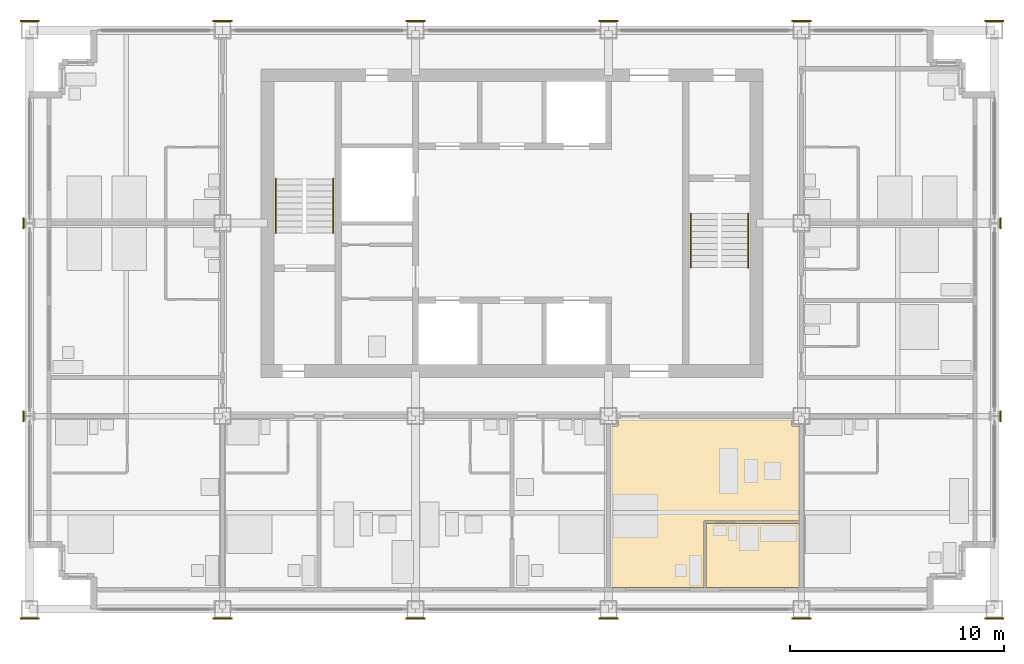
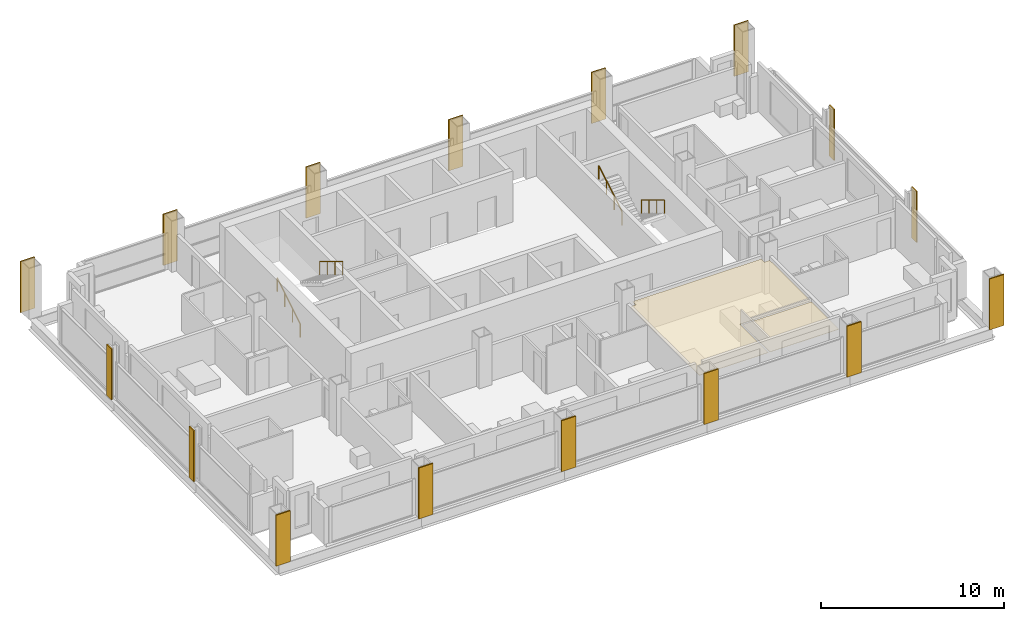
# One storey, part 11 of 13: 18 coverings, 4 railings.
"""IFC4 building model written with IfcOpenShell, lengths in metres."""

from ifc_helpers import new_model, si_unit, direction, frame, origin, origin_2d, place, context, subcontext, project, spatial, polyline, rectangle, circle, outline, extrude, material, layer, layer_set, type_object, element, save


model = new_model("IFC4")

# Units and contexts
model_context = context("Model", 3, precision=1e-05, world=origin(), true_north=direction((0.0, 1.0)))
body_context = subcontext(model_context, "Body", "Model", "MODEL_VIEW")
ifc_project = project(units=[si_unit("LENGTHUNIT", "METRE"), si_unit("AREAUNIT", "SQUARE_METRE"), si_unit("VOLUMEUNIT", "CUBIC_METRE"), si_unit("PLANEANGLEUNIT", "RADIAN"), si_unit("MASSUNIT", "GRAM", prefix="KILO")], contexts=[model_context])

# Site, building, storey
site_placement = place(None, origin())
site = spatial("IfcSite", under=ifc_project, at=site_placement, CompositionType="ELEMENT")
building_placement = place(site_placement, origin())
building = spatial("IfcBuilding", under=site, at=building_placement, Name="Loomwork Tower", CompositionType="ELEMENT")
storey_placement = place(building_placement, frame((0.0, 0.0, 194.39990234375)))
storey = spatial("IfcBuildingStorey", under=building, at=storey_placement, Name="L53", CompositionType="ELEMENT", Elevation=194.39990234375)

# Railings
ifc_material_1 = material(Name="Stainless steel handrail", Category="steel")
railing_type = type_object("IfcRailingType", Name="Handrail 900", PredefinedType="HANDRAIL", material=ifc_material_1)
railing_1_placement = place(storey_placement, frame((11.485107421875, 17.550048828125, 0.170166015625)))
element("IfcRailing", 1, at=railing_1_placement, inside=storey, type_object=railing_type, Name="Stair A handrail flight 1 L53", PredefinedType="HANDRAIL", context=body_context, shape_type="SweptSolid", body=[
    extrude(circle(Radius=0.02392578125, at=origin_2d()), frame((0.0, 0.0, 0.8759765625), z_axis=(0.0, 0.85478489116, 0.518982456201), x_axis=(-1.0, 0.0, 0.0)), (0.0, 0.0, 1.0), 2.9482421875),
    extrude(circle(Radius=0.02099609375, at=origin_2d()), origin(), (0.0, 0.0, 1.0), 0.851806640625),
    extrude(circle(Radius=0.02099609375, at=origin_2d()), frame((0.0, 0.840087890625, 0.510009765625)), (0.0, 0.0, 1.0), 0.851806640625),
    extrude(circle(Radius=0.02099609375, at=origin_2d()), frame((0.0, 1.679931640625, 1.02001953125)), (0.0, 0.0, 1.0), 0.851806640625),
    extrude(circle(Radius=0.02099609375, at=origin_2d()), frame((0.0, 2.52001953125, 1.530029296875)), (0.0, 0.0, 1.0), 0.851806640625),
])
for number, where, name in (
    (2, (14.1650390625, 20.070068359375, 1.8701171875), "Stair A handrail flight 2 L53"),
    (3, (33.514892578125, 18.449951171875, 0.170166015625), "Stair B handrail flight 1 L53"),
):
    element("IfcRailing", number, at=place(storey_placement, frame(where)), inside=storey, type_object=railing_type, Name=name, PredefinedType="HANDRAIL", context=body_context, shape_type="SweptSolid", body=[
        extrude(circle(Radius=0.02392578125, at=origin_2d()), frame((0.0, 0.0, 0.8759765625), z_axis=(0.0, -0.85478489116, 0.518982456201), x_axis=(1.0, 0.0, 0.0)), (0.0, 0.0, 1.0), 2.9482421875),
        extrude(circle(Radius=0.02099609375, at=origin_2d()), origin(), (0.0, 0.0, 1.0), 0.851806640625),
        extrude(circle(Radius=0.02099609375, at=origin_2d()), frame((0.0, -0.840087890625, 0.510009765625)), (0.0, 0.0, 1.0), 0.851806640625),
        extrude(circle(Radius=0.02099609375, at=origin_2d()), frame((0.0, -1.679931640625, 1.02001953125)), (0.0, 0.0, 1.0), 0.851806640625),
        extrude(circle(Radius=0.02099609375, at=origin_2d()), frame((0.0, -2.52001953125, 1.530029296875)), (0.0, 0.0, 1.0), 0.851806640625),
    ])
railing_2_placement = place(storey_placement, frame((30.8349609375, 15.929931640625, 1.8701171875)))
element("IfcRailing", 4, at=railing_2_placement, inside=storey, type_object=railing_type, Name="Stair B handrail flight 2 L53", PredefinedType="HANDRAIL", context=body_context, shape_type="SweptSolid", body=[
    extrude(circle(Radius=0.02392578125, at=origin_2d()), frame((0.0, 0.0, 0.8759765625), z_axis=(0.0, 0.85478489116, 0.518982456201), x_axis=(-1.0, 0.0, 0.0)), (0.0, 0.0, 1.0), 2.9482421875),
    extrude(circle(Radius=0.02099609375, at=origin_2d()), origin(), (0.0, 0.0, 1.0), 0.851806640625),
    extrude(circle(Radius=0.02099609375, at=origin_2d()), frame((0.0, 0.840087890625, 0.510009765625)), (0.0, 0.0, 1.0), 0.851806640625),
    extrude(circle(Radius=0.02099609375, at=origin_2d()), frame((0.0, 1.679931640625, 1.02001953125)), (0.0, 0.0, 1.0), 0.851806640625),
    extrude(circle(Radius=0.02099609375, at=origin_2d()), frame((0.0, 2.52001953125, 1.530029296875)), (0.0, 0.0, 1.0), 0.851806640625),
])

# Coverings
ifc_material_2 = material(Name="Limestone", Category="masonry")
ifc_layer_1 = layer(ifc_material_2, 0.080078125)
ifc_layer_set_1 = layer_set([ifc_layer_1], Name="Limestone pier facing 80")
covering_type_1 = type_object("IfcCoveringType", Name="Limestone pier facing 80", PredefinedType="CLADDING", material=ifc_layer_set_1)
covering_1_placement = place(storey_placement, frame((0.0, -0.43994140625, 0.000244140625), z_axis=(0.0, 0.0, 1.0), x_axis=(1.0, 0.0, 0.0)))
element("IfcCovering", 5, at=covering_1_placement, inside=storey, type_object=covering_type_1, Name="Pier facing D/2 L53", PredefinedType="CLADDING", context=body_context, shape_type="SweptSolid", body=[
    extrude(rectangle(XDim=0.89990234375, YDim=0.080078125, at=origin_2d()), origin(), (0.0, 0.0, 1.0), 3.39990234375),
])
for number, where, z_axis, x_axis, name in (
    (6, (-0.28125, 9.0, 0.000244140625), (0.0, 0.0, 1.0), (1.0, 0.0, 0.0), "Pier facing E/2 L53"),
    (7, (-0.28125, 18.0, 0.000244140625), (0.0, 0.0, 1.0), (1.0, 0.0, 0.0), "Pier facing F/2 L53"),
):
    element("IfcCovering", number, at=place(storey_placement, frame(where, z_axis=z_axis, x_axis=x_axis)), inside=storey, type_object=covering_type_1, Name=name, PredefinedType="CLADDING", context=body_context, shape_type="SweptSolid", body=[
        extrude(rectangle(XDim=0.080078125, YDim=0.526611328125, at=origin_2d()), origin(), (0.0, 0.0, 1.0), 3.39990234375),
    ])
for number, where, z_axis, x_axis, name in (
    (8, (0.0, 27.43994140625, 0.000244140625), (0.0, 0.0, 1.0), (1.0, 0.0, 0.0), "Pier facing G/2 L53"),
    (9, (9.0, -0.43994140625, 0.000244140625), (0.0, 0.0, 1.0), (1.0, 0.0, 0.0), "Pier facing D/3 L53"),
    (10, (9.0, 27.43994140625, 0.000244140625), (0.0, 0.0, 1.0), (1.0, 0.0, 0.0), "Pier facing G/3 L53"),
    (11, (18.0, -0.43994140625, 0.000244140625), (0.0, 0.0, 1.0), (1.0, 0.0, 0.0), "Pier facing D/4 L53"),
    (12, (18.0, 27.43994140625, 0.000244140625), (0.0, 0.0, 1.0), (1.0, 0.0, 0.0), "Pier facing G/4 L53"),
    (13, (27.0, -0.43994140625, 0.000244140625), (0.0, 0.0, 1.0), (1.0, 0.0, 0.0), "Pier facing D/5 L53"),
    (14, (27.0, 27.43994140625, 0.000244140625), (0.0, 0.0, 1.0), (1.0, 0.0, 0.0), "Pier facing G/5 L53"),
    (15, (36.0, -0.43994140625, 0.000244140625), (0.0, 0.0, 1.0), (1.0, 0.0, 0.0), "Pier facing D/6 L53"),
    (16, (36.0, 27.43994140625, 0.000244140625), (0.0, 0.0, 1.0), (1.0, 0.0, 0.0), "Pier facing G/6 L53"),
    (17, (45.0, -0.43994140625, 0.000244140625), (0.0, 0.0, 1.0), (1.0, 0.0, 0.0), "Pier facing D/7 L53"),
):
    element("IfcCovering", number, at=place(storey_placement, frame(where, z_axis=z_axis, x_axis=x_axis)), inside=storey, type_object=covering_type_1, Name=name, PredefinedType="CLADDING", context=body_context, shape_type="SweptSolid", body=[
        extrude(rectangle(XDim=0.89990234375, YDim=0.080078125, at=origin_2d()), origin(), (0.0, 0.0, 1.0), 3.39990234375),
    ])
for number, where, z_axis, x_axis, name in (
    (18, (45.28125, 9.0, 0.000244140625), (0.0, 0.0, 1.0), (1.0, 0.0, 0.0), "Pier facing E/7 L53"),
    (19, (45.28125, 18.0, 0.000244140625), (0.0, 0.0, 1.0), (1.0, 0.0, 0.0), "Pier facing F/7 L53"),
):
    element("IfcCovering", number, at=place(storey_placement, frame(where, z_axis=z_axis, x_axis=x_axis)), inside=storey, type_object=covering_type_1, Name=name, PredefinedType="CLADDING", context=body_context, shape_type="SweptSolid", body=[
        extrude(rectangle(XDim=0.080078125, YDim=0.526611328125, at=origin_2d()), origin(), (0.0, 0.0, 1.0), 3.39990234375),
    ])
covering_2_placement = place(storey_placement, frame((45.0, 27.43994140625, 0.000244140625), z_axis=(0.0, 0.0, 1.0), x_axis=(1.0, 0.0, 0.0)))
element("IfcCovering", 20, at=covering_2_placement, inside=storey, type_object=covering_type_1, Name="Pier facing G/7 L53", PredefinedType="CLADDING", context=body_context, shape_type="SweptSolid", body=[
    extrude(rectangle(XDim=0.89990234375, YDim=0.080078125, at=origin_2d()), origin(), (0.0, 0.0, 1.0), 3.39990234375),
])
ifc_material_3 = material(Name="Mineral fibre acoustic tile on suspension grid")
ifc_layer_2 = layer(ifc_material_3, 0.02490234375)
ifc_layer_set_2 = layer_set([ifc_layer_2], Name="Suspended acoustic ceiling")
covering_type_2 = type_object("IfcCoveringType", Name="Suspended acoustic ceiling", PredefinedType="CEILING", material=ifc_layer_set_2)
covering_3_placement = place(storey_placement, frame((0.0, 0.0, 2.175048828125)))
element("IfcCovering", 21, at=covering_3_placement, inside=storey, type_object=covering_type_2, Name="Ceiling Spa bathroom L53", PredefinedType="CEILING", context=body_context, shape_type="SweptSolid", body=[
    extrude(outline(polyline([(35.89990234375, 4.0), (35.89990234375, 1.0), (31.550048828125, 1.0), (31.550048828125, 4.0), (35.89990234375, 4.0)])), origin(), (0.0, 0.0, 1.0), 0.025146484375),
])
covering_4_placement = place(storey_placement, frame((0.0, 0.0, 2.175048828125)))
element("IfcCovering", 22, at=covering_4_placement, inside=storey, type_object=covering_type_2, Name="Ceiling Spa suite L53", PredefinedType="CEILING", context=body_context, shape_type="SweptSolid", body=[
    extrude(outline(polyline([(35.550048828125, 8.89990234375), (35.550048828125, 8.550048828125), (35.89990234375, 8.550048828125), (35.89990234375, 4.10009765625), (31.449951171875, 4.10009765625), (31.449951171875, 1.0), (27.10009765625, 1.0), (27.10009765625, 8.550048828125), (27.449951171875, 8.550048828125), (27.449951171875, 8.89990234375), (35.550048828125, 8.89990234375)])), origin(), (0.0, 0.0, 1.0), 0.025146484375),
])

save(model, "model.ifc")
